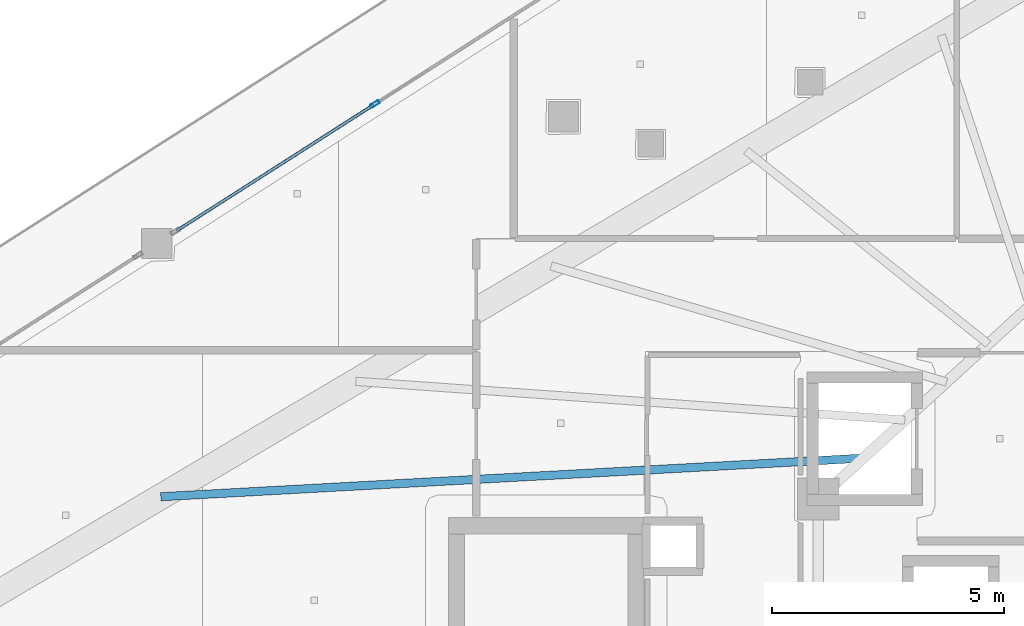
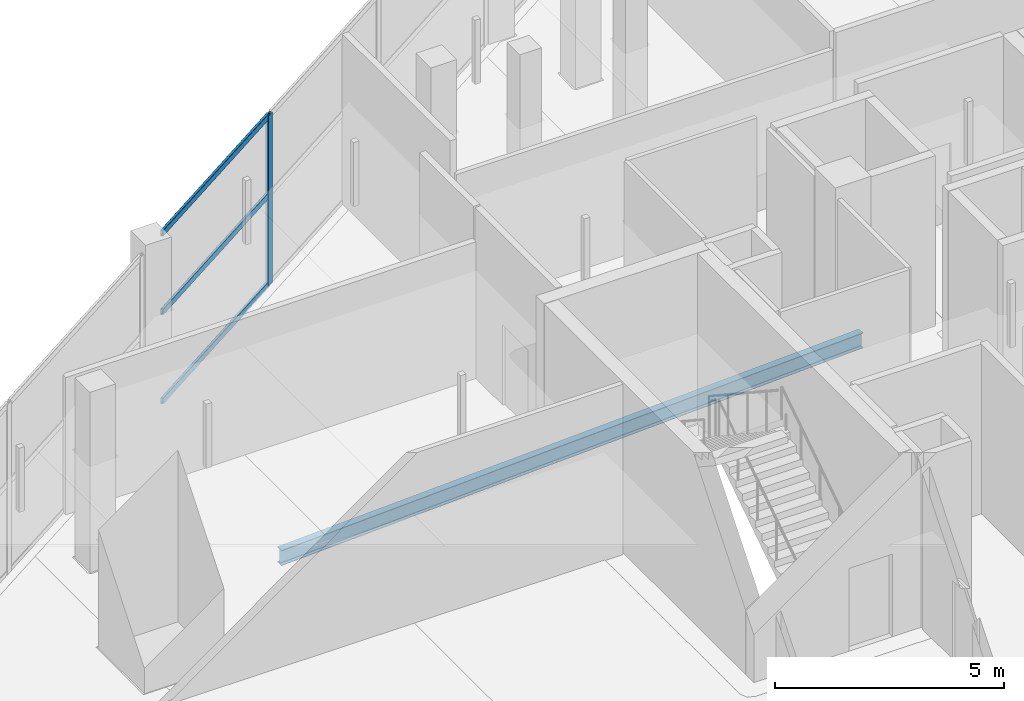
# One storey, part 15 of 36: 4 members, 1 beam, 1 element without a shape of its own.
"""IFC4 building model written with IfcOpenShell, lengths in metres."""

from ifc_helpers import new_model, si_unit, direction, frame, origin, origin_2d, place, context, subcontext, project, spatial, hollow_rectangle, i_section, extrude, material, layer, layer_set, material_profile, profile_set, type_object, element, aggregate, save


model = new_model("IFC4")

# Units and contexts
model_context = context("Model", 3, precision=1e-05, world=origin(), true_north=direction((0.0, 1.0)))
body_context = subcontext(model_context, "Body", "Model", "MODEL_VIEW")
ifc_project = project(units=[si_unit("LENGTHUNIT", "METRE"), si_unit("AREAUNIT", "SQUARE_METRE"), si_unit("VOLUMEUNIT", "CUBIC_METRE"), si_unit("PLANEANGLEUNIT", "RADIAN"), si_unit("MASSUNIT", "GRAM", prefix="KILO")], contexts=[model_context])

# Site, building, storey
site_placement = place(None, origin())
site = spatial("IfcSite", under=ifc_project, at=site_placement, CompositionType="ELEMENT")
building_placement = place(site_placement, origin())
building = spatial("IfcBuilding", under=site, at=building_placement, Name="Qorvath Tower", CompositionType="ELEMENT")
storey_placement = place(building_placement, frame((0.0, 0.0, 180.0)))
storey = spatial("IfcBuildingStorey", under=building, at=storey_placement, Name="L41", CompositionType="ELEMENT", Elevation=180.0)

# Beam
ifc_material_1 = material(Name="Steel ASTM A992 Grade 50", Category="steel")
ifc_material_profile_1 = material_profile(ifc_material_1, i_section(OverallWidth=0.177978515625, OverallDepth=0.406005859375, WebThickness=0.0078125, FlangeThickness=0.0126953125, FilletRadius=0.010986328125, at=origin_2d()), Name="W16x40")
ifc_profile_set_1 = profile_set([ifc_material_profile_1], Name="Steel ASTM A992 Grade 50")
beam_type = type_object("IfcBeamType", Name="BM-FJ3", PredefinedType="JOIST", material=ifc_profile_set_1)
beam_placement = place(storey_placement, frame((-29.533935546875, 6.031982421875, -0.5029296875), z_axis=(-0.998494745044, -0.054847462293, 0.0), x_axis=(0.054847462293, -0.998494745044, 0.0)))
element("IfcBeam", 1, at=beam_placement, inside=storey, type_object=beam_type, Name="Composite Floor Joist NW1 L41", PredefinedType="JOIST", context=body_context, shape_type="SweptSolid", body=[
    extrude(i_section(OverallWidth=0.177978515625, OverallDepth=0.406005859375, WebThickness=0.0078125, FlangeThickness=0.0126953125, FilletRadius=0.010986328125, at=origin_2d()), origin(), (0.0, 0.0, 1.0), 15.138671875),
])

# Curtain wall, members
ifc_material_2 = material(Name="Anodised aluminium and triple low-E glass", Category="aluminium")
ifc_layer = layer(ifc_material_2, 0.179931640625)
ifc_layer_set = layer_set([ifc_layer], Name="CW-SYS-5")
curtain_wall_type = type_object("IfcCurtainWallType", Name="CW-SYS-5", PredefinedType="NOTDEFINED", material=ifc_layer_set)
curtain_wall_placement = place(storey_placement, origin())
curtain_wall = element("IfcCurtainWall", 2, at=curtain_wall_placement, inside=storey, type_object=curtain_wall_type, Name="Curtain Wall CW-5 CW-T-L41-16.2", PredefinedType="NOTDEFINED")
ifc_material_3 = material(Name="Anodised aluminium 6063-T6", Category="aluminium")
ifc_material_profile_2 = material_profile(ifc_material_3, hollow_rectangle(XDim=0.074951171875, YDim=0.199951171875, WallThickness=0.00390625, InnerFilletRadius=0.00390625, OuterFilletRadius=0.008056640625, at=origin_2d()), Name="CWM 200x75")
ifc_profile_set_2 = profile_set([ifc_material_profile_2], Name="Anodised aluminium 6063-T6")
member_type_1 = type_object("IfcMemberType", Name="CWM-200", PredefinedType="MULLION", material=ifc_profile_set_2)
member_1_placement = place(storey_placement, frame((-40.03955078125, 13.654052734375, 0.0), z_axis=(0.0, 0.0, 1.0), x_axis=(0.538536526802, -0.842602165497, 0.0)))
member_1 = element("IfcMember", 3, at=member_1_placement, type_object=member_type_1, Name="CW-5 mullion 3", PredefinedType="MULLION", context=body_context, shape_type="SweptSolid", body=[
    extrude(hollow_rectangle(XDim=0.074951171875, YDim=0.199951171875, WallThickness=0.00390625, InnerFilletRadius=0.00390625, OuterFilletRadius=0.008056640625, at=origin_2d()), origin(), (0.0, 0.0, 1.0), 4.530029296875),
])
ifc_material_4 = material(Name="Anodised aluminium 6063-T6", Category="aluminium")
ifc_material_profile_3 = material_profile(ifc_material_4, hollow_rectangle(XDim=0.06494140625, YDim=0.159912109375, WallThickness=0.00341796875, InnerFilletRadius=0.00341796875, OuterFilletRadius=0.007080078125, at=origin_2d()), Name="CWT 160x65")
ifc_profile_set_3 = profile_set([ifc_material_profile_3], Name="Anodised aluminium 6063-T6")
member_type_2 = type_object("IfcMemberType", Name="CWT-160", PredefinedType="USERDEFINED", material=ifc_profile_set_3)
member_2_placement = place(storey_placement, frame((-40.071044921875, 13.6337890625, 0.032470703125), z_axis=(-0.842619059914, -0.538510092635, 0.0), x_axis=(0.538510092635, -0.842619059914, 0.0)))
member_2 = element("IfcMember", 4, at=member_2_placement, type_object=member_type_2, Name="CW-5 transom 3.1", ObjectType="TRANSOM", PredefinedType="USERDEFINED", context=body_context, shape_type="SweptSolid", body=[
    extrude(hollow_rectangle(XDim=0.06494140625, YDim=0.159912109375, WallThickness=0.00341796875, InnerFilletRadius=0.00341796875, OuterFilletRadius=0.007080078125, at=origin_2d()), origin(), (0.0, 0.0, 1.0), 5.0224609375),
])
member_3_placement = place(storey_placement, frame((-40.071044921875, 13.6337890625, 2.39990234375), z_axis=(-0.842619059914, -0.538510092635, 0.0), x_axis=(0.538510092635, -0.842619059914, 0.0)))
member_3 = element("IfcMember", 5, at=member_3_placement, type_object=member_type_2, Name="CW-5 transom 3.2", ObjectType="TRANSOM", PredefinedType="USERDEFINED", context=body_context, shape_type="SweptSolid", body=[
    extrude(hollow_rectangle(XDim=0.06494140625, YDim=0.159912109375, WallThickness=0.00341796875, InnerFilletRadius=0.00341796875, OuterFilletRadius=0.007080078125, at=origin_2d()), origin(), (0.0, 0.0, 1.0), 5.0224609375),
])
member_4_placement = place(storey_placement, frame((-40.071044921875, 13.6337890625, 4.49755859375), z_axis=(-0.842619059914, -0.538510092635, 0.0), x_axis=(0.538510092635, -0.842619059914, 0.0)))
member_4 = element("IfcMember", 6, at=member_4_placement, type_object=member_type_2, Name="CW-5 transom 3.3", ObjectType="TRANSOM", PredefinedType="USERDEFINED", context=body_context, shape_type="SweptSolid", body=[
    extrude(hollow_rectangle(XDim=0.06494140625, YDim=0.159912109375, WallThickness=0.00341796875, InnerFilletRadius=0.00341796875, OuterFilletRadius=0.007080078125, at=origin_2d()), origin(), (0.0, 0.0, 1.0), 5.0224609375),
])
aggregate(curtain_wall, [member_1, member_2, member_3, member_4])

save(model, "model.ifc")
